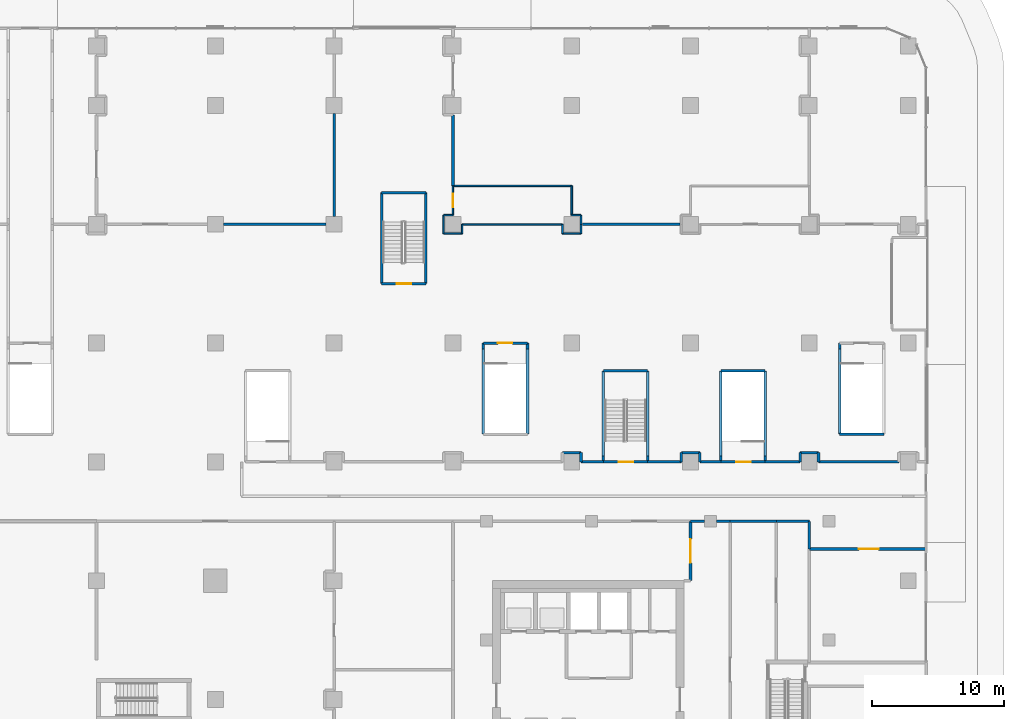
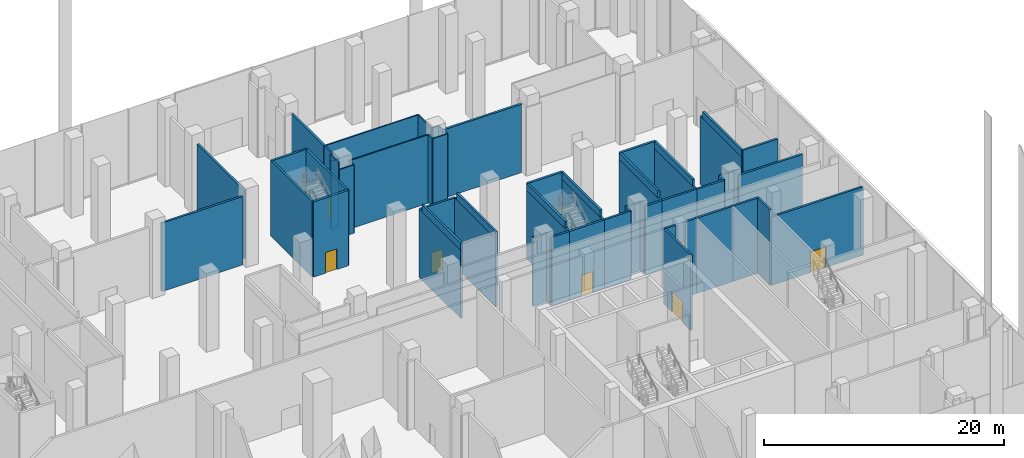
# One storey, part 24 of 42: 61 walls, 7 doors, 7 openings.
"""IFC4 building model written with IfcOpenShell, lengths in metres."""

from ifc_helpers import new_model, si_unit, direction, frame, frame_2d, origin, place, context, subcontext, project, spatial, rectangle, extrude, material, layer, layer_set, type_object, element, fill, save


model = new_model("IFC4")

# Units and contexts
model_context = context("Model", 3, precision=1e-05, world=origin(), true_north=direction((0.0, 1.0)))
body_context = subcontext(model_context, "Body", "Model", "MODEL_VIEW")
ifc_project = project(units=[si_unit("LENGTHUNIT", "METRE"), si_unit("AREAUNIT", "SQUARE_METRE"), si_unit("VOLUMEUNIT", "CUBIC_METRE"), si_unit("PLANEANGLEUNIT", "RADIAN"), si_unit("MASSUNIT", "GRAM", prefix="KILO")], contexts=[model_context])

# Site, building, storey
site_placement = place(None, origin())
site = spatial("IfcSite", under=ifc_project, at=site_placement, CompositionType="ELEMENT")
building_placement = place(site_placement, origin())
building = spatial("IfcBuilding", under=site, at=building_placement, Name="Plateau Cross Towers", CompositionType="ELEMENT")
storey_placement = place(building_placement, origin())
storey = spatial("IfcBuildingStorey", under=building, at=storey_placement, Name="L00", CompositionType="ELEMENT", Elevation=0.0)

# Wall, opening, door
ifc_material_1 = material(Name="Gypsum board on steel studs, two layers each side", Category="steel")
ifc_layer_1 = layer(ifc_material_1, 0.199951171875)
ifc_layer_set_1 = layer_set([ifc_layer_1], Name="Gypsum board on steel studs, two layers each side")
wall_type_1 = type_object("IfcWallType", Name="Podium compartment wall 200", PredefinedType="PARTITIONING", material=ifc_layer_set_1)
wall_1_placement = place(storey_placement, frame((107.85009765625, 20.39990234375, 0.0), z_axis=(0.0, 0.0, 1.0), x_axis=(-1.0, 0.0, 0.0)))
wall_1 = element("IfcWall", 1, at=wall_1_placement, inside=storey, type_object=wall_type_1, Name="Partition wall", PredefinedType="PARTITIONING", context=body_context, shape_type="SweptSolid", body=[
    extrude(rectangle(XDim=8.85009765625, YDim=0.199951171875, at=frame_2d((4.425048828125, 0.0))), origin(), (0.0, 0.0, 1.0), 6.949951171875),
])
opening_1_placement = place(wall_1_placement, frame((3.60009765625, 0.0, 0.0)))
opening_1 = element("IfcOpeningElement", 2, at=opening_1_placement, cuts=wall_1, Name="Opening 00-23", PredefinedType="OPENING", context=body_context, shape_type="SweptSolid", body=[
    extrude(rectangle(XDim=1.5, YDim=2.10009765625, at=frame_2d((0.75, 1.050048828125))), frame((0.0, 0.10986328125, 0.0), z_axis=(0.0, -1.0, 0.0), x_axis=(1.0, 0.0, 0.0)), (0.0, 0.0, 1.0), 0.219970703125),
])
ifc_material_2 = material(Name="Steel, fire-resisting leaf, washable finish", Category="steel")
door_type_1 = type_object("IfcDoorType", Name="Refuse room door 1500x2100", OperationType="NOTDEFINED", PredefinedType="DOOR", material=ifc_material_2)
door_1_placement = place(opening_1_placement, origin())
door_1 = element("IfcDoor", 3, at=door_1_placement, inside=storey, type_object=door_type_1, Name="Door 00-23", OperationType="SINGLE_SWING_LEFT", OverallHeight=2.10009765625, OverallWidth=1.5, PredefinedType="DOOR", context=body_context, shape_type="SweptSolid", body=[
    extrude(rectangle(XDim=1.5, YDim=2.10009765625, at=frame_2d((0.75, 1.050048828125))), frame((0.0, 0.02490234375, 0.0), z_axis=(0.0, -1.0, 0.0), x_axis=(1.0, 0.0, 0.0)), (0.0, 0.0, 1.0), 0.050048828125),
])
fill(opening_1, door_1)

# Walls
ifc_material_3 = material(Name="Gypsum board on steel studs", Category="steel")
ifc_layer_2 = layer(ifc_material_3, 0.199951171875)
ifc_layer_set_2 = layer_set([ifc_layer_2], Name="Gypsum board on steel studs")
wall_type_2 = type_object("IfcWallType", Name="Podium partition 200", PredefinedType="PARTITIONING", material=ifc_layer_set_2)
for number, where, z_axis, x_axis, name in (
    (4, (54.60009765625, 45.0, 0.0), (0.0, 0.0, 1.0), (1.0, 0.0, 0.0), "Partition wall"),
    (5, (63.0, 45.60009765625, 0.0), (0.0, 0.0, 1.0), (0.0, 1.0, 0.0), "Partition wall"),
):
    element("IfcWall", number, at=place(storey_placement, frame(where, z_axis=z_axis, x_axis=x_axis)), inside=storey, type_object=wall_type_2, Name=name, PredefinedType="PARTITIONING", context=body_context, shape_type="SweptSolid", body=[
        extrude(rectangle(XDim=7.7998046875, YDim=0.199951171875, at=frame_2d((3.89990234375, 0.0))), origin(), (0.0, 0.0, 1.0), 6.949951171875),
    ])
wall_2_placement = place(storey_placement, frame((72.0, 53.300048828125, 0.0), z_axis=(0.0, 0.0, 1.0), x_axis=(0.0, -1.0, 0.0)))
element("IfcWall", 6, at=wall_2_placement, inside=storey, type_object=wall_type_2, Name="Partition wall", PredefinedType="PARTITIONING", context=body_context, shape_type="SweptSolid", body=[
    extrude(rectangle(XDim=5.38916015625, YDim=0.199951171875, at=frame_2d((2.694580078125, 0.0))), origin(), (0.0, 0.0, 1.0), 6.949951171875),
])
wall_3_placement = place(storey_placement, frame((81.800048828125, 45.0, 0.0), z_axis=(0.0, 0.0, 1.0), x_axis=(1.0, 0.0, 0.0)))
element("IfcWall", 7, at=wall_3_placement, inside=storey, type_object=wall_type_2, Name="Partition wall", PredefinedType="PARTITIONING", context=body_context, shape_type="SweptSolid", body=[
    extrude(rectangle(XDim=7.39990234375, YDim=0.199951171875, at=frame_2d((3.699951171875, 0.0))), origin(), (0.0, 0.0, 1.0), 6.949951171875),
])

# Wall, opening, door
wall_4_placement = place(storey_placement, frame((90.0, 22.5, 0.0), z_axis=(0.0, 0.0, 1.0), x_axis=(0.0, -1.0, 0.0)))
wall_4 = element("IfcWall", 8, at=wall_4_placement, inside=storey, type_object=wall_type_2, Name="Partition wall", PredefinedType="PARTITIONING", context=body_context, shape_type="SweptSolid", body=[
    extrude(rectangle(XDim=4.5, YDim=0.199951171875, at=frame_2d((2.25, 0.0))), origin(), (0.0, 0.0, 1.0), 7.64990234375),
])
opening_2_placement = place(wall_4_placement, frame((1.35009765625, 0.0, 0.0)))
opening_2 = element("IfcOpeningElement", 9, at=opening_2_placement, cuts=wall_4, Name="Opening 00-40", PredefinedType="OPENING", context=body_context, shape_type="SweptSolid", body=[
    extrude(rectangle(XDim=1.800048828125, YDim=2.10009765625, at=frame_2d((0.89990234375, 1.050048828125))), frame((0.0, 0.10986328125, 0.0), z_axis=(0.0, -1.0, 0.0), x_axis=(1.0, 0.0, 0.0)), (0.0, 0.0, 1.0), 0.219970703125),
])
ifc_material_4 = material(Name="Aluminium frame, toughened glass", Category="aluminium")
door_type_2 = type_object("IfcDoorType", Name="Podium door pair 1800", OperationType="NOTDEFINED", PredefinedType="DOOR", material=ifc_material_4)
door_2_placement = place(opening_2_placement, origin())
door_2 = element("IfcDoor", 10, at=door_2_placement, inside=storey, type_object=door_type_2, Name="Door 00-40", OperationType="DOUBLE_DOOR_SINGLE_SWING", OverallHeight=2.10009765625, OverallWidth=1.800048828125, PredefinedType="DOOR", context=body_context, shape_type="SweptSolid", body=[
    extrude(rectangle(XDim=1.800048828125, YDim=2.10009765625, at=frame_2d((0.89990234375, 1.050048828125))), frame((0.0, 0.02490234375, 0.0), z_axis=(0.0, -1.0, 0.0), x_axis=(1.0, 0.0, 0.0)), (0.0, 0.0, 1.0), 0.050048828125),
])
fill(opening_2, door_2)

# Walls
wall_5_placement = place(storey_placement, frame((99.0, 20.39990234375, 0.0), z_axis=(0.0, 0.0, 1.0), x_axis=(0.0, 1.0, 0.0)))
element("IfcWall", 11, at=wall_5_placement, inside=storey, type_object=wall_type_2, Name="Partition wall", PredefinedType="PARTITIONING", context=body_context, shape_type="SweptSolid", body=[
    extrude(rectangle(XDim=2.10009765625, YDim=0.199951171875, at=frame_2d((1.050048828125, 0.0))), origin(), (0.0, 0.0, 1.0), 7.64990234375),
])
wall_6_placement = place(storey_placement, frame((99.0, 22.5, 0.0), z_axis=(0.0, 0.0, 1.0), x_axis=(-1.0, 0.0, 0.0)))
element("IfcWall", 12, at=wall_6_placement, inside=storey, type_object=wall_type_2, Name="Partition wall", PredefinedType="PARTITIONING", context=body_context, shape_type="SweptSolid", body=[
    extrude(rectangle(XDim=2.5, YDim=0.199951171875, at=frame_2d((1.25, 0.0))), origin(), (0.0, 0.0, 1.0), 7.64990234375),
])
wall_7_placement = place(storey_placement, frame((96.5, 22.5, 0.0), z_axis=(0.0, 0.0, 1.0), x_axis=(-1.0, 0.0, 0.0)))
element("IfcWall", 13, at=wall_7_placement, inside=storey, type_object=wall_type_2, Name="Partition wall", PredefinedType="PARTITIONING", context=body_context, shape_type="SweptSolid", body=[
    extrude(rectangle(XDim=3.5, YDim=0.199951171875, at=frame_2d((1.75, 0.0))), origin(), (0.0, 0.0, 1.0), 7.64990234375),
])
for number, where, z_axis, x_axis, name in (
    (14, (93.0, 22.5, 0.0), (0.0, 0.0, 1.0), (-1.0, 0.0, 0.0), "Partition wall"),
    (15, (91.050048828125, 22.5, 0.0), (0.0, 0.0, 1.0), (-1.0, 0.0, 0.0), "Partition wall"),
):
    element("IfcWall", number, at=place(storey_placement, frame(where, z_axis=z_axis, x_axis=x_axis)), inside=storey, type_object=wall_type_2, Name=name, PredefinedType="PARTITIONING", context=body_context, shape_type="SweptSolid", body=[
        extrude(rectangle(XDim=1.050048828125, YDim=0.199951171875, at=frame_2d((0.52490234375, 0.0))), origin(), (0.0, 0.0, 1.0), 7.64990234375),
    ])
ifc_material_5 = material(Name="Fire-rated plasterboard shaft wall system")
ifc_layer_3 = layer(ifc_material_5, 0.199951171875)
ifc_layer_set_3 = layer_set([ifc_layer_3], Name="Fire-rated plasterboard shaft wall system")
wall_type_3 = type_object("IfcWallType", Name="Podium stair shaft wall 200", PredefinedType="PARTITIONING", material=ifc_layer_set_3)
wall_8_placement = place(storey_placement, frame((80.300048828125, 27.699951171875, 0.0), z_axis=(0.0, 0.0, 1.0), x_axis=(1.0, 0.0, 0.0)))
element("IfcWall", 16, at=wall_8_placement, inside=storey, type_object=wall_type_3, Name="Partition wall", PredefinedType="PARTITIONING", context=body_context, shape_type="SweptSolid", body=[
    extrude(rectangle(XDim=1.39990234375, YDim=0.199951171875, at=frame_2d((0.699951171875, 0.0))), origin(), (0.0, 0.0, 1.0), 6.949951171875),
])
wall_9_placement = place(storey_placement, frame((81.699951171875, 27.699951171875, 0.0), z_axis=(0.0, 0.0, 1.0), x_axis=(0.0, -1.0, 0.0)))
element("IfcWall", 17, at=wall_9_placement, inside=storey, type_object=wall_type_3, Name="Partition wall", PredefinedType="PARTITIONING", context=body_context, shape_type="SweptSolid", body=[
    extrude(rectangle(XDim=0.699951171875, YDim=0.199951171875, at=frame_2d((0.35009765625, 0.0))), origin(), (0.0, 0.0, 1.0), 6.949951171875),
])
wall_10_placement = place(storey_placement, frame((81.699951171875, 27.0, 0.0), z_axis=(0.0, 0.0, 1.0), x_axis=(1.0, 0.0, 0.0)))
element("IfcWall", 18, at=wall_10_placement, inside=storey, type_object=wall_type_3, Name="Partition wall", PredefinedType="PARTITIONING", context=body_context, shape_type="SweptSolid", body=[
    extrude(rectangle(XDim=1.699951171875, YDim=0.199951171875, at=frame_2d((0.85009765625, 0.0))), origin(), (0.0, 0.0, 1.0), 6.949951171875),
])
wall_11_placement = place(storey_placement, frame((74.300048828125, 29.10009765625, 0.0), z_axis=(0.0, 0.0, 1.0), x_axis=(0.0, 1.0, 0.0)))
element("IfcWall", 19, at=wall_11_placement, inside=storey, type_object=wall_type_3, Name="Partition wall", PredefinedType="PARTITIONING", context=body_context, shape_type="SweptSolid", body=[
    extrude(rectangle(XDim=6.89990234375, YDim=0.199951171875, at=frame_2d((3.449951171875, 0.0))), origin(), (0.0, 0.0, 1.0), 6.949951171875),
])

# Wall, opening, door
wall_12_placement = place(storey_placement, frame((74.300048828125, 36.0, 0.0), z_axis=(0.0, 0.0, 1.0), x_axis=(1.0, 0.0, 0.0)))
wall_12 = element("IfcWall", 20, at=wall_12_placement, inside=storey, type_object=wall_type_3, Name="Partition wall", PredefinedType="PARTITIONING", context=body_context, shape_type="SweptSolid", body=[
    extrude(rectangle(XDim=3.349853515625, YDim=0.199951171875, at=frame_2d((1.6748046875, 0.0))), origin(), (0.0, 0.0, 1.0), 6.949951171875),
])
opening_3_placement = place(wall_12_placement, frame((1.10009765625, 0.0, 0.0)))
opening_3 = element("IfcOpeningElement", 21, at=opening_3_placement, cuts=wall_12, Name="Opening 00-11", PredefinedType="OPENING", context=body_context, shape_type="SweptSolid", body=[
    extrude(rectangle(XDim=1.10009765625, YDim=2.10009765625, at=frame_2d((0.550048828125, 1.050048828125))), frame((0.0, 0.10986328125, 0.0), z_axis=(0.0, -1.0, 0.0), x_axis=(1.0, 0.0, 0.0)), (0.0, 0.0, 1.0), 0.219970703125),
])
ifc_material_6 = material(Name="Steel, fire-resisting leaf", Category="steel")
door_type_3 = type_object("IfcDoorType", Name="Podium stair door 1100", OperationType="NOTDEFINED", PredefinedType="DOOR", material=ifc_material_6)
door_3_placement = place(opening_3_placement, origin())
door_3 = element("IfcDoor", 22, at=door_3_placement, inside=storey, type_object=door_type_3, Name="Door 00-11", OperationType="SINGLE_SWING_LEFT", OverallHeight=2.10009765625, OverallWidth=1.10009765625, PredefinedType="DOOR", context=body_context, shape_type="SweptSolid", body=[
    extrude(rectangle(XDim=1.10009765625, YDim=2.10009765625, at=frame_2d((0.550048828125, 1.050048828125))), frame((0.0, 0.02490234375, 0.0), z_axis=(0.0, -1.0, 0.0), x_axis=(1.0, 0.0, 0.0)), (0.0, 0.0, 1.0), 0.050048828125),
])
fill(opening_3, door_3)

# Walls
for number, where, z_axis, x_axis, name in (
    (23, (77.64990234375, 36.0, 0.0), (0.0, 0.0, 1.0), (0.0, -1.0, 0.0), "Partition wall"),
    (24, (101.300048828125, 29.10009765625, 0.0), (0.0, 0.0, 1.0), (0.0, 1.0, 0.0), "Partition wall"),
):
    element("IfcWall", number, at=place(storey_placement, frame(where, z_axis=z_axis, x_axis=x_axis)), inside=storey, type_object=wall_type_3, Name=name, PredefinedType="PARTITIONING", context=body_context, shape_type="SweptSolid", body=[
        extrude(rectangle(XDim=6.89990234375, YDim=0.199951171875, at=frame_2d((3.449951171875, 0.0))), origin(), (0.0, 0.0, 1.0), 6.949951171875),
    ])
wall_13_placement = place(storey_placement, frame((104.64990234375, 29.10009765625, 0.0), z_axis=(0.0, 0.0, 1.0), x_axis=(-1.0, 0.0, 0.0)))
element("IfcWall", 25, at=wall_13_placement, inside=storey, type_object=wall_type_3, Name="Partition wall", PredefinedType="PARTITIONING", context=body_context, shape_type="SweptSolid", body=[
    extrude(rectangle(XDim=3.349853515625, YDim=0.199951171875, at=frame_2d((1.6748046875, 0.0))), origin(), (0.0, 0.0, 1.0), 7.64990234375),
])
wall_14_placement = place(storey_placement, frame((66.60009765625, 40.5, 0.0), z_axis=(0.0, 0.0, 1.0), x_axis=(0.0, 1.0, 0.0)))
element("IfcWall", 26, at=wall_14_placement, inside=storey, type_object=wall_type_3, Name="Partition wall", PredefinedType="PARTITIONING", context=body_context, shape_type="SweptSolid", body=[
    extrude(rectangle(XDim=6.89990234375, YDim=0.199951171875, at=frame_2d((3.449951171875, 0.0))), origin(), (0.0, 0.0, 1.0), 7.64990234375),
])
wall_15_placement = place(storey_placement, frame((66.60009765625, 47.39990234375, 0.0), z_axis=(0.0, 0.0, 1.0), x_axis=(1.0, 0.0, 0.0)))
element("IfcWall", 27, at=wall_15_placement, inside=storey, type_object=wall_type_3, Name="Partition wall", PredefinedType="PARTITIONING", context=body_context, shape_type="SweptSolid", body=[
    extrude(rectangle(XDim=3.349853515625, YDim=0.199951171875, at=frame_2d((1.6748046875, 0.0))), origin(), (0.0, 0.0, 1.0), 7.64990234375),
])
wall_16_placement = place(storey_placement, frame((69.949951171875, 47.39990234375, 0.0), z_axis=(0.0, 0.0, 1.0), x_axis=(0.0, -1.0, 0.0)))
element("IfcWall", 28, at=wall_16_placement, inside=storey, type_object=wall_type_3, Name="Partition wall", PredefinedType="PARTITIONING", context=body_context, shape_type="SweptSolid", body=[
    extrude(rectangle(XDim=6.89990234375, YDim=0.199951171875, at=frame_2d((3.449951171875, 0.0))), origin(), (0.0, 0.0, 1.0), 7.64990234375),
])

# Wall, opening, door
wall_17_placement = place(storey_placement, frame((69.949951171875, 40.5, 0.0), z_axis=(0.0, 0.0, 1.0), x_axis=(-1.0, 0.0, 0.0)))
wall_17 = element("IfcWall", 29, at=wall_17_placement, inside=storey, type_object=wall_type_3, Name="Partition wall", PredefinedType="PARTITIONING", context=body_context, shape_type="SweptSolid", body=[
    extrude(rectangle(XDim=3.349853515625, YDim=0.199951171875, at=frame_2d((1.6748046875, 0.0))), origin(), (0.0, 0.0, 1.0), 7.64990234375),
])
opening_4_placement = place(wall_17_placement, frame((1.10009765625, 0.0, 0.0)))
opening_4 = element("IfcOpeningElement", 30, at=opening_4_placement, cuts=wall_17, Name="Opening 00-09", PredefinedType="OPENING", context=body_context, shape_type="SweptSolid", body=[
    extrude(rectangle(XDim=1.10009765625, YDim=2.10009765625, at=frame_2d((0.550048828125, 1.050048828125))), frame((0.0, 0.10986328125, 0.0), z_axis=(0.0, -1.0, 0.0), x_axis=(1.0, 0.0, 0.0)), (0.0, 0.0, 1.0), 0.219970703125),
])
door_4_placement = place(opening_4_placement, origin())
door_4 = element("IfcDoor", 31, at=door_4_placement, inside=storey, type_object=door_type_3, Name="Door 00-09", OperationType="SINGLE_SWING_LEFT", OverallHeight=2.10009765625, OverallWidth=1.10009765625, PredefinedType="DOOR", context=body_context, shape_type="SweptSolid", body=[
    extrude(rectangle(XDim=1.10009765625, YDim=2.10009765625, at=frame_2d((0.550048828125, 1.050048828125))), frame((0.0, 0.02490234375, 0.0), z_axis=(0.0, -1.0, 0.0), x_axis=(1.0, 0.0, 0.0)), (0.0, 0.0, 1.0), 0.050048828125),
])
fill(opening_4, door_4)

# Walls
wall_18_placement = place(storey_placement, frame((92.300048828125, 27.0, 0.0), z_axis=(0.0, 0.0, 1.0), x_axis=(0.0, 1.0, 0.0)))
element("IfcWall", 32, at=wall_18_placement, inside=storey, type_object=wall_type_3, Name="Partition wall", PredefinedType="PARTITIONING", context=body_context, shape_type="SweptSolid", body=[
    extrude(rectangle(XDim=6.89990234375, YDim=0.199951171875, at=frame_2d((3.449951171875, 0.0))), origin(), (0.0, 0.0, 1.0), 6.949951171875),
])
wall_19_placement = place(storey_placement, frame((92.300048828125, 33.89990234375, 0.0), z_axis=(0.0, 0.0, 1.0), x_axis=(1.0, 0.0, 0.0)))
element("IfcWall", 33, at=wall_19_placement, inside=storey, type_object=wall_type_3, Name="Partition wall", PredefinedType="PARTITIONING", context=body_context, shape_type="SweptSolid", body=[
    extrude(rectangle(XDim=3.349853515625, YDim=0.199951171875, at=frame_2d((1.6748046875, 0.0))), origin(), (0.0, 0.0, 1.0), 7.64990234375),
])
for number, where, z_axis, x_axis, name in (
    (34, (95.64990234375, 33.89990234375, 0.0), (0.0, 0.0, 1.0), (0.0, -1.0, 0.0), "Partition wall"),
    (35, (83.39990234375, 27.0, 0.0), (0.0, 0.0, 1.0), (0.0, 1.0, 0.0), "Partition wall"),
):
    element("IfcWall", number, at=place(storey_placement, frame(where, z_axis=z_axis, x_axis=x_axis)), inside=storey, type_object=wall_type_3, Name=name, PredefinedType="PARTITIONING", context=body_context, shape_type="SweptSolid", body=[
        extrude(rectangle(XDim=6.89990234375, YDim=0.199951171875, at=frame_2d((3.449951171875, 0.0))), origin(), (0.0, 0.0, 1.0), 6.949951171875),
    ])
wall_20_placement = place(storey_placement, frame((83.39990234375, 33.89990234375, 0.0), z_axis=(0.0, 0.0, 1.0), x_axis=(1.0, 0.0, 0.0)))
element("IfcWall", 36, at=wall_20_placement, inside=storey, type_object=wall_type_3, Name="Partition wall", PredefinedType="PARTITIONING", context=body_context, shape_type="SweptSolid", body=[
    extrude(rectangle(XDim=3.35009765625, YDim=0.199951171875, at=frame_2d((1.675048828125, 0.0))), origin(), (0.0, 0.0, 1.0), 7.64990234375),
])
wall_21_placement = place(storey_placement, frame((86.75, 33.89990234375, 0.0), z_axis=(0.0, 0.0, 1.0), x_axis=(0.0, -1.0, 0.0)))
element("IfcWall", 37, at=wall_21_placement, inside=storey, type_object=wall_type_3, Name="Partition wall", PredefinedType="PARTITIONING", context=body_context, shape_type="SweptSolid", body=[
    extrude(rectangle(XDim=6.89990234375, YDim=0.199951171875, at=frame_2d((3.449951171875, 0.0))), origin(), (0.0, 0.0, 1.0), 6.949951171875),
])
wall_22_placement = place(storey_placement, frame((95.64990234375, 27.0, 0.0), z_axis=(0.0, 0.0, 1.0), x_axis=(1.0, 0.0, 0.0)))
element("IfcWall", 38, at=wall_22_placement, inside=storey, type_object=wall_type_3, Name="Partition wall", PredefinedType="PARTITIONING", context=body_context, shape_type="SweptSolid", body=[
    extrude(rectangle(XDim=2.650146484375, YDim=0.199951171875, at=frame_2d((1.3251953125, 0.0))), origin(), (0.0, 0.0, 1.0), 6.949951171875),
])
wall_23_placement = place(storey_placement, frame((98.300048828125, 27.0, 0.0), z_axis=(0.0, 0.0, 1.0), x_axis=(0.0, 1.0, 0.0)))
element("IfcWall", 39, at=wall_23_placement, inside=storey, type_object=wall_type_3, Name="Partition wall", PredefinedType="PARTITIONING", context=body_context, shape_type="SweptSolid", body=[
    extrude(rectangle(XDim=0.699951171875, YDim=0.199951171875, at=frame_2d((0.35009765625, 0.0))), origin(), (0.0, 0.0, 1.0), 6.949951171875),
])
wall_24_placement = place(storey_placement, frame((98.300048828125, 27.699951171875, 0.0), z_axis=(0.0, 0.0, 1.0), x_axis=(1.0, 0.0, 0.0)))
element("IfcWall", 40, at=wall_24_placement, inside=storey, type_object=wall_type_3, Name="Partition wall", PredefinedType="PARTITIONING", context=body_context, shape_type="SweptSolid", body=[
    extrude(rectangle(XDim=1.39990234375, YDim=0.199951171875, at=frame_2d((0.699951171875, 0.0))), origin(), (0.0, 0.0, 1.0), 6.949951171875),
])
wall_25_placement = place(storey_placement, frame((99.699951171875, 27.699951171875, 0.0), z_axis=(0.0, 0.0, 1.0), x_axis=(0.0, -1.0, 0.0)))
element("IfcWall", 41, at=wall_25_placement, inside=storey, type_object=wall_type_3, Name="Partition wall", PredefinedType="PARTITIONING", context=body_context, shape_type="SweptSolid", body=[
    extrude(rectangle(XDim=0.699951171875, YDim=0.199951171875, at=frame_2d((0.35009765625, 0.0))), origin(), (0.0, 0.0, 1.0), 6.949951171875),
])
wall_26_placement = place(storey_placement, frame((99.699951171875, 27.0, 0.0), z_axis=(0.0, 0.0, 1.0), x_axis=(1.0, 0.0, 0.0)))
element("IfcWall", 42, at=wall_26_placement, inside=storey, type_object=wall_type_3, Name="Partition wall", PredefinedType="PARTITIONING", context=body_context, shape_type="SweptSolid", body=[
    extrude(rectangle(XDim=6.10009765625, YDim=0.199951171875, at=frame_2d((3.050048828125, 0.0))), origin(), (0.0, 0.0, 1.0), 6.949951171875),
])
wall_27_placement = place(storey_placement, frame((86.75, 27.0, 0.0), z_axis=(0.0, 0.0, 1.0), x_axis=(1.0, 0.0, 0.0)))
element("IfcWall", 43, at=wall_27_placement, inside=storey, type_object=wall_type_3, Name="Partition wall", PredefinedType="PARTITIONING", context=body_context, shape_type="SweptSolid", body=[
    extrude(rectangle(XDim=2.550048828125, YDim=0.199951171875, at=frame_2d((1.27490234375, 0.0))), origin(), (0.0, 0.0, 1.0), 6.949951171875),
])
wall_28_placement = place(storey_placement, frame((89.300048828125, 27.0, 0.0), z_axis=(0.0, 0.0, 1.0), x_axis=(0.0, 1.0, 0.0)))
element("IfcWall", 44, at=wall_28_placement, inside=storey, type_object=wall_type_3, Name="Partition wall", PredefinedType="PARTITIONING", context=body_context, shape_type="SweptSolid", body=[
    extrude(rectangle(XDim=0.699951171875, YDim=0.199951171875, at=frame_2d((0.35009765625, 0.0))), origin(), (0.0, 0.0, 1.0), 6.949951171875),
])
wall_29_placement = place(storey_placement, frame((89.300048828125, 27.699951171875, 0.0), z_axis=(0.0, 0.0, 1.0), x_axis=(1.0, 0.0, 0.0)))
element("IfcWall", 45, at=wall_29_placement, inside=storey, type_object=wall_type_3, Name="Partition wall", PredefinedType="PARTITIONING", context=body_context, shape_type="SweptSolid", body=[
    extrude(rectangle(XDim=1.39990234375, YDim=0.199951171875, at=frame_2d((0.699951171875, 0.0))), origin(), (0.0, 0.0, 1.0), 6.949951171875),
])
wall_30_placement = place(storey_placement, frame((90.699951171875, 27.699951171875, 0.0), z_axis=(0.0, 0.0, 1.0), x_axis=(0.0, -1.0, 0.0)))
element("IfcWall", 46, at=wall_30_placement, inside=storey, type_object=wall_type_3, Name="Partition wall", PredefinedType="PARTITIONING", context=body_context, shape_type="SweptSolid", body=[
    extrude(rectangle(XDim=0.699951171875, YDim=0.199951171875, at=frame_2d((0.35009765625, 0.0))), origin(), (0.0, 0.0, 1.0), 6.949951171875),
])
wall_31_placement = place(storey_placement, frame((90.699951171875, 27.0, 0.0), z_axis=(0.0, 0.0, 1.0), x_axis=(1.0, 0.0, 0.0)))
element("IfcWall", 47, at=wall_31_placement, inside=storey, type_object=wall_type_3, Name="Partition wall", PredefinedType="PARTITIONING", context=body_context, shape_type="SweptSolid", body=[
    extrude(rectangle(XDim=1.60009765625, YDim=0.199951171875, at=frame_2d((0.800048828125, 0.0))), origin(), (0.0, 0.0, 1.0), 6.949951171875),
])

# Wall, opening, door
wall_32_placement = place(storey_placement, frame((86.75, 27.0, 0.0), z_axis=(0.0, 0.0, 1.0), x_axis=(-1.0, 0.0, 0.0)))
wall_32 = element("IfcWall", 48, at=wall_32_placement, inside=storey, type_object=wall_type_3, Name="Partition wall", PredefinedType="PARTITIONING", context=body_context, shape_type="SweptSolid", body=[
    extrude(rectangle(XDim=3.35009765625, YDim=0.199951171875, at=frame_2d((1.675048828125, 0.0))), origin(), (0.0, 0.0, 1.0), 6.949951171875),
])
opening_5_placement = place(wall_32_placement, frame((1.10009765625, 0.0, 0.0)))
opening_5 = element("IfcOpeningElement", 49, at=opening_5_placement, cuts=wall_32, Name="Opening 00-04", PredefinedType="OPENING", context=body_context, shape_type="SweptSolid", body=[
    extrude(rectangle(XDim=1.10009765625, YDim=2.10009765625, at=frame_2d((0.550048828125, 1.050048828125))), frame((0.0, 0.10986328125, 0.0), z_axis=(0.0, -1.0, 0.0), x_axis=(1.0, 0.0, 0.0)), (0.0, 0.0, 1.0), 0.219970703125),
])
door_5_placement = place(opening_5_placement, origin())
door_5 = element("IfcDoor", 50, at=door_5_placement, inside=storey, type_object=door_type_3, Name="Door 00-04", OperationType="SINGLE_SWING_LEFT", OverallHeight=2.10009765625, OverallWidth=1.10009765625, PredefinedType="DOOR", context=body_context, shape_type="SweptSolid", body=[
    extrude(rectangle(XDim=1.10009765625, YDim=2.10009765625, at=frame_2d((0.550048828125, 1.050048828125))), frame((0.0, 0.02490234375, 0.0), z_axis=(0.0, -1.0, 0.0), x_axis=(1.0, 0.0, 0.0)), (0.0, 0.0, 1.0), 0.050048828125),
])
fill(opening_5, door_5)

wall_33_placement = place(storey_placement, frame((95.64990234375, 27.0, 0.0), z_axis=(0.0, 0.0, 1.0), x_axis=(-1.0, 0.0, 0.0)))
wall_33 = element("IfcWall", 51, at=wall_33_placement, inside=storey, type_object=wall_type_3, Name="Partition wall", PredefinedType="PARTITIONING", context=body_context, shape_type="SweptSolid", body=[
    extrude(rectangle(XDim=3.349853515625, YDim=0.199951171875, at=frame_2d((1.6748046875, 0.0))), origin(), (0.0, 0.0, 1.0), 6.949951171875),
])
opening_6_placement = place(wall_33_placement, frame((1.10009765625, 0.0, 0.0)))
opening_6 = element("IfcOpeningElement", 52, at=opening_6_placement, cuts=wall_33, Name="Opening 00-05", PredefinedType="OPENING", context=body_context, shape_type="SweptSolid", body=[
    extrude(rectangle(XDim=1.10009765625, YDim=2.10009765625, at=frame_2d((0.550048828125, 1.050048828125))), frame((0.0, 0.10986328125, 0.0), z_axis=(0.0, -1.0, 0.0), x_axis=(1.0, 0.0, 0.0)), (0.0, 0.0, 1.0), 0.219970703125),
])
door_6_placement = place(opening_6_placement, origin())
door_6 = element("IfcDoor", 53, at=door_6_placement, inside=storey, type_object=door_type_3, Name="Door 00-05", OperationType="SINGLE_SWING_LEFT", OverallHeight=2.10009765625, OverallWidth=1.10009765625, PredefinedType="DOOR", context=body_context, shape_type="SweptSolid", body=[
    extrude(rectangle(XDim=1.10009765625, YDim=2.10009765625, at=frame_2d((0.550048828125, 1.050048828125))), frame((0.0, 0.02490234375, 0.0), z_axis=(0.0, -1.0, 0.0), x_axis=(1.0, 0.0, 0.0)), (0.0, 0.0, 1.0), 0.050048828125),
])
fill(opening_6, door_6)

# Walls
for number, where, z_axis, x_axis, name in (
    (54, (74.300048828125, 29.10009765625, 6.949951171875), (0.0, 0.0, 1.0), (0.0, 1.0, 0.0), "Partition wall head"),
    (55, (77.64990234375, 35.550048828125, 6.949951171875), (0.0, 0.0, 1.0), (0.0, -1.0, 0.0), "Partition wall head"),
    (56, (101.300048828125, 29.10009765625, 6.949951171875), (0.0, 0.0, 1.0), (0.0, 1.0, 0.0), "Partition wall head"),
    (57, (92.300048828125, 27.449951171875, 6.949951171875), (0.0, 0.0, 1.0), (0.0, 1.0, 0.0), "Partition wall head"),
    (58, (95.64990234375, 33.89990234375, 6.949951171875), (0.0, 0.0, 1.0), (0.0, -1.0, 0.0), "Partition wall head"),
    (59, (83.39990234375, 27.449951171875, 6.949951171875), (0.0, 0.0, 1.0), (0.0, 1.0, 0.0), "Partition wall head"),
    (60, (86.75, 33.89990234375, 6.949951171875), (0.0, 0.0, 1.0), (0.0, -1.0, 0.0), "Partition wall head"),
):
    element("IfcWall", number, at=place(storey_placement, frame(where, z_axis=z_axis, x_axis=x_axis)), inside=storey, type_object=wall_type_3, Name=name, PredefinedType="PARTITIONING", context=body_context, shape_type="SweptSolid", body=[
        extrude(rectangle(XDim=6.449951171875, YDim=0.199951171875, at=frame_2d((3.22509765625, 0.0))), origin(), (0.0, 0.0, 1.0), 0.699951171875),
    ])

# Wall, opening, door
ifc_material_7 = material(Name="Moisture-resistant board on steel studs, tiled one side", Category="steel")
ifc_layer_4 = layer(ifc_material_7, 0.1201171875)
ifc_layer_set_4 = layer_set([ifc_layer_4], Name="Moisture-resistant board on steel studs, tiled one side")
wall_type_4 = type_object("IfcWallType", Name="Sanitary partition 120", PredefinedType="PARTITIONING", material=ifc_layer_set_4)
wall_34_placement = place(storey_placement, frame((72.0, 47.910888671875, 0.0), z_axis=(0.0, 0.0, 1.0), x_axis=(0.0, -1.0, 0.0)))
wall_34 = element("IfcWall", 61, at=wall_34_placement, inside=storey, type_object=wall_type_4, Name="Partition wall", PredefinedType="PARTITIONING", context=body_context, shape_type="SweptSolid", body=[
    extrude(rectangle(XDim=2.2109375, YDim=0.1201171875, at=frame_2d((1.10546875, 0.0))), origin(), (0.0, 0.0, 1.0), 6.949951171875),
])
opening_7_placement = place(wall_34_placement, frame((0.60009765625, 0.0, 0.0)))
opening_7 = element("IfcOpeningElement", 62, at=opening_7_placement, cuts=wall_34, Name="Opening 00-28", PredefinedType="OPENING", context=body_context, shape_type="SweptSolid", body=[
    extrude(rectangle(XDim=1.0, YDim=2.10009765625, at=frame_2d((0.5, 1.050048828125))), frame((0.0, 0.070068359375, 0.0), z_axis=(0.0, -1.0, 0.0), x_axis=(1.0, 0.0, 0.0)), (0.0, 0.0, 1.0), 0.14013671875),
])
ifc_material_8 = material(Name="Timber leaf", Category="wood")
door_type_4 = type_object("IfcDoorType", Name="Podium clinic door 1000", OperationType="NOTDEFINED", PredefinedType="DOOR", material=ifc_material_8)
door_7_placement = place(opening_7_placement, origin())
door_7 = element("IfcDoor", 63, at=door_7_placement, inside=storey, type_object=door_type_4, Name="Door 00-28", OperationType="SINGLE_SWING_LEFT", OverallHeight=2.10009765625, OverallWidth=1.0, PredefinedType="DOOR", context=body_context, shape_type="SweptSolid", body=[
    extrude(rectangle(XDim=1.0, YDim=2.10009765625, at=frame_2d((0.5, 1.050048828125))), frame((0.0, 0.02490234375, 0.0), z_axis=(0.0, -1.0, 0.0), x_axis=(1.0, 0.0, 0.0)), (0.0, 0.0, 1.0), 0.050048828125),
])
fill(opening_7, door_7)

# Walls
wall_35_placement = place(storey_placement, frame((72.0, 45.699951171875, 0.0), z_axis=(0.0, 0.0, 1.0), x_axis=(-1.0, 0.0, 0.0)))
element("IfcWall", 64, at=wall_35_placement, inside=storey, type_object=wall_type_4, Name="Partition wall", PredefinedType="PARTITIONING", context=body_context, shape_type="SweptSolid", body=[
    extrude(rectangle(XDim=0.699951171875, YDim=0.1201171875, at=frame_2d((0.35009765625, 0.0))), origin(), (0.0, 0.0, 1.0), 6.949951171875),
])
wall_36_placement = place(storey_placement, frame((71.300048828125, 45.699951171875, 0.0), z_axis=(0.0, 0.0, 1.0), x_axis=(0.0, -1.0, 0.0)))
element("IfcWall", 65, at=wall_36_placement, inside=storey, type_object=wall_type_4, Name="Partition wall", PredefinedType="PARTITIONING", context=body_context, shape_type="SweptSolid", body=[
    extrude(rectangle(XDim=1.39990234375, YDim=0.1201171875, at=frame_2d((0.699951171875, 0.0))), origin(), (0.0, 0.0, 1.0), 7.64990234375),
])
wall_37_placement = place(storey_placement, frame((71.300048828125, 44.300048828125, 0.0), z_axis=(0.0, 0.0, 1.0), x_axis=(1.0, 0.0, 0.0)))
element("IfcWall", 66, at=wall_37_placement, inside=storey, type_object=wall_type_4, Name="Partition wall", PredefinedType="PARTITIONING", context=body_context, shape_type="SweptSolid", body=[
    extrude(rectangle(XDim=1.39990234375, YDim=0.1201171875, at=frame_2d((0.699951171875, 0.0))), origin(), (0.0, 0.0, 1.0), 6.949951171875),
])
wall_38_placement = place(storey_placement, frame((72.699951171875, 44.300048828125, 0.0), z_axis=(0.0, 0.0, 1.0), x_axis=(0.0, 1.0, 0.0)))
element("IfcWall", 67, at=wall_38_placement, inside=storey, type_object=wall_type_4, Name="Partition wall", PredefinedType="PARTITIONING", context=body_context, shape_type="SweptSolid", body=[
    extrude(rectangle(XDim=0.699951171875, YDim=0.1201171875, at=frame_2d((0.35009765625, 0.0))), origin(), (0.0, 0.0, 1.0), 6.949951171875),
])
wall_39_placement = place(storey_placement, frame((72.699951171875, 45.0, 0.0), z_axis=(0.0, 0.0, 1.0), x_axis=(1.0, 0.0, 0.0)))
element("IfcWall", 68, at=wall_39_placement, inside=storey, type_object=wall_type_4, Name="Partition wall", PredefinedType="PARTITIONING", context=body_context, shape_type="SweptSolid", body=[
    extrude(rectangle(XDim=7.60009765625, YDim=0.1201171875, at=frame_2d((3.800048828125, 0.0))), origin(), (0.0, 0.0, 1.0), 6.949951171875),
])
wall_40_placement = place(storey_placement, frame((80.300048828125, 45.0, 0.0), z_axis=(0.0, 0.0, 1.0), x_axis=(0.0, -1.0, 0.0)))
element("IfcWall", 69, at=wall_40_placement, inside=storey, type_object=wall_type_4, Name="Partition wall", PredefinedType="PARTITIONING", context=body_context, shape_type="SweptSolid", body=[
    extrude(rectangle(XDim=0.699951171875, YDim=0.1201171875, at=frame_2d((0.35009765625, 0.0))), origin(), (0.0, 0.0, 1.0), 6.949951171875),
])
wall_41_placement = place(storey_placement, frame((80.300048828125, 44.300048828125, 0.0), z_axis=(0.0, 0.0, 1.0), x_axis=(1.0, 0.0, 0.0)))
element("IfcWall", 70, at=wall_41_placement, inside=storey, type_object=wall_type_4, Name="Partition wall", PredefinedType="PARTITIONING", context=body_context, shape_type="SweptSolid", body=[
    extrude(rectangle(XDim=1.39990234375, YDim=0.1201171875, at=frame_2d((0.699951171875, 0.0))), origin(), (0.0, 0.0, 1.0), 6.949951171875),
])
wall_42_placement = place(storey_placement, frame((81.699951171875, 44.300048828125, 0.0), z_axis=(0.0, 0.0, 1.0), x_axis=(0.0, 1.0, 0.0)))
element("IfcWall", 71, at=wall_42_placement, inside=storey, type_object=wall_type_4, Name="Partition wall", PredefinedType="PARTITIONING", context=body_context, shape_type="SweptSolid", body=[
    extrude(rectangle(XDim=0.699951171875, YDim=0.1201171875, at=frame_2d((0.35009765625, 0.0))), origin(), (0.0, 0.0, 1.0), 6.949951171875),
])
wall_43_placement = place(storey_placement, frame((72.10009765625, 47.910888671875, 0.0), z_axis=(0.0, 0.0, 1.0), x_axis=(1.0, 0.0, 0.0)))
element("IfcWall", 72, at=wall_43_placement, inside=storey, type_object=wall_type_4, Name="Partition wall", PredefinedType="PARTITIONING", context=body_context, shape_type="SweptSolid", body=[
    extrude(rectangle(XDim=8.89990234375, YDim=0.1201171875, at=frame_2d((4.449951171875, 0.0))), origin(), (0.0, 0.0, 1.0), 6.949951171875),
])
wall_44_placement = place(storey_placement, frame((81.0, 47.910888671875, 0.0), z_axis=(0.0, 0.0, 1.0), x_axis=(0.0, -1.0, 0.0)))
element("IfcWall", 73, at=wall_44_placement, inside=storey, type_object=wall_type_4, Name="Partition wall", PredefinedType="PARTITIONING", context=body_context, shape_type="SweptSolid", body=[
    extrude(rectangle(XDim=2.2109375, YDim=0.1201171875, at=frame_2d((1.10546875, 0.0))), origin(), (0.0, 0.0, 1.0), 6.949951171875),
])
for number, where, z_axis, x_axis, name in (
    (74, (81.0, 45.699951171875, 0.0), (0.0, 0.0, 1.0), (1.0, 0.0, 0.0), "Partition wall"),
    (75, (81.699951171875, 45.699951171875, 0.0), (0.0, 0.0, 1.0), (0.0, -1.0, 0.0), "Partition wall"),
):
    element("IfcWall", number, at=place(storey_placement, frame(where, z_axis=z_axis, x_axis=x_axis)), inside=storey, type_object=wall_type_4, Name=name, PredefinedType="PARTITIONING", context=body_context, shape_type="SweptSolid", body=[
        extrude(rectangle(XDim=0.699951171875, YDim=0.1201171875, at=frame_2d((0.35009765625, 0.0))), origin(), (0.0, 0.0, 1.0), 6.949951171875),
    ])

save(model, "model.ifc")
